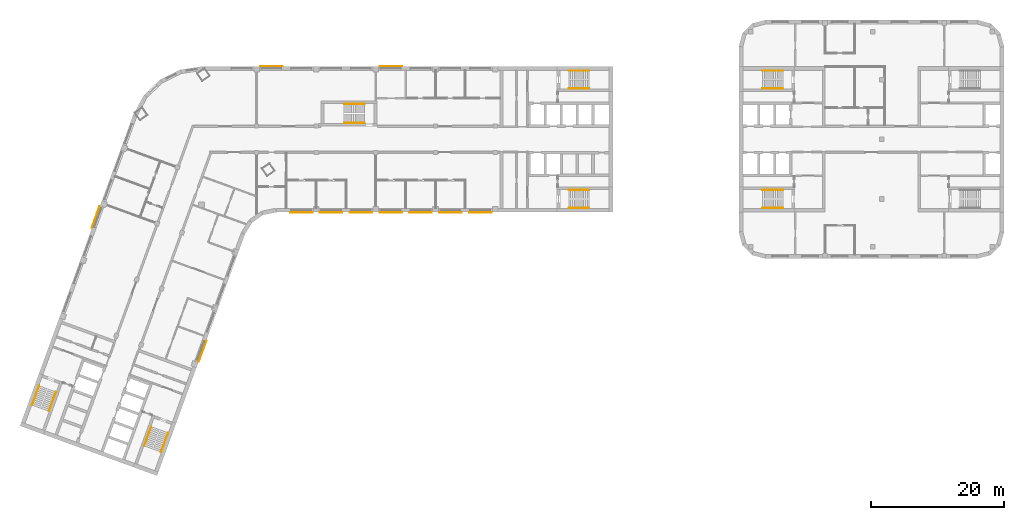
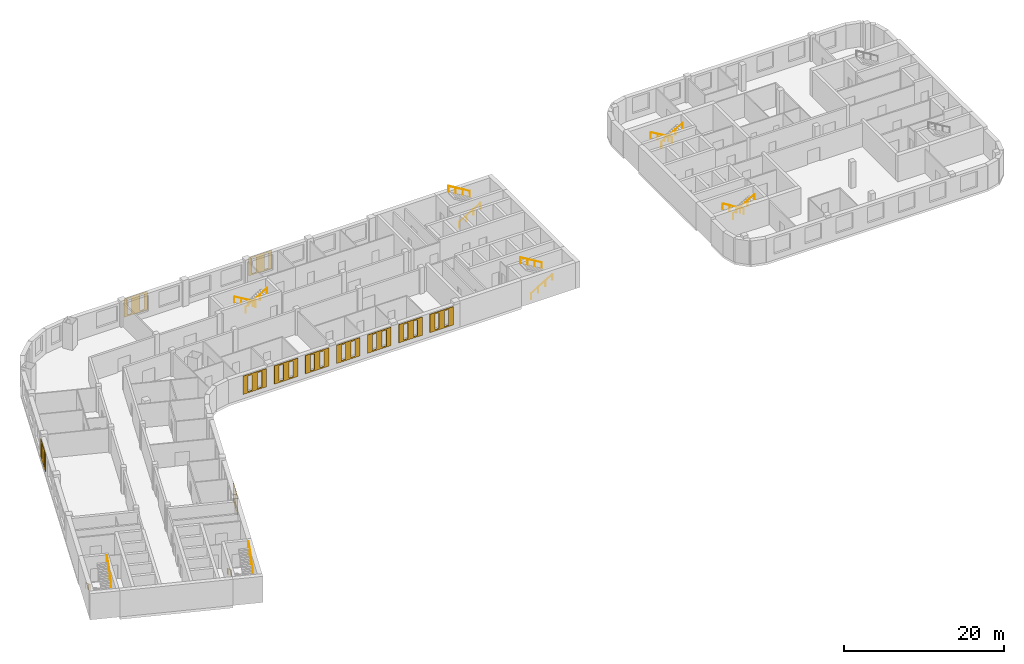
# One storey, part 11 of 12: 14 railings, 11 coverings.
"""IFC4 building model written with IfcOpenShell, lengths in metres."""

from ifc_helpers import new_model, si_unit, direction, frame, origin, origin_2d, place, context, subcontext, project, spatial, polyline, circle, outline, extrude, material, material_profile, profile_set, type_object, element, save


model = new_model("IFC4")

# Units and contexts
model_context = context("Model", 3, precision=1e-05, world=origin(), true_north=direction((0.0, 1.0)))
body_context = subcontext(model_context, "Body", "Model", "MODEL_VIEW")
ifc_project = project(units=[si_unit("LENGTHUNIT", "METRE"), si_unit("AREAUNIT", "SQUARE_METRE"), si_unit("VOLUMEUNIT", "CUBIC_METRE"), si_unit("PLANEANGLEUNIT", "RADIAN"), si_unit("MASSUNIT", "GRAM", prefix="KILO")], contexts=[model_context])

# Site, building, storey
site_placement = place(None, origin())
site = spatial("IfcSite", under=ifc_project, at=site_placement, CompositionType="ELEMENT")
building_placement = place(site_placement, origin())
building = spatial("IfcBuilding", under=site, at=building_placement, Name="Skarvind Civic Tower", CompositionType="ELEMENT")
storey_placement = place(building_placement, frame((0.0, 0.0, 85.0)))
storey = spatial("IfcBuildingStorey", under=building, at=storey_placement, Name="L19", CompositionType="ELEMENT", Elevation=85.0)

# Railings
ifc_material_1 = material(Name="Painted steel handrail", Category="steel")
railing_type = type_object("IfcRailingType", Name="Stair handrail 900", PredefinedType="HANDRAIL", material=ifc_material_1)
railing_1_placement = place(storey_placement, frame((101.35009765625, 135.64990234375, 0.166748046875)))
element("IfcRailing", 1, at=railing_1_placement, inside=storey, type_object=railing_type, Name="Stair handrail", PredefinedType="HANDRAIL", context=body_context, shape_type="SweptSolid", body=[
    extrude(circle(Radius=0.02392578125, at=origin_2d()), frame((0.0, 0.0, 0.8759765625), z_axis=(0.859290745958, 0.0, 0.51148745235), x_axis=(0.0, 1.0, 0.0)), (0.0, 0.0, 1.0), 3.584228515625),
    extrude(circle(Radius=0.02099609375, at=origin_2d()), origin(), (0.0, 0.0, 1.0), 0.851806640625),
    extrude(circle(Radius=0.02099609375, at=origin_2d()), frame((1.026611328125, 0.0, 0.611083984375)), (0.0, 0.0, 1.0), 0.851806640625),
    extrude(circle(Radius=0.02099609375, at=origin_2d()), frame((2.05322265625, 0.0, 1.22216796875)), (0.0, 0.0, 1.0), 0.851806640625),
    extrude(circle(Radius=0.02099609375, at=origin_2d()), frame((3.079833984375, 0.0, 1.833251953125)), (0.0, 0.0, 1.0), 0.851806640625),
])
railing_2_placement = place(storey_placement, frame((104.429931640625, 138.35009765625, 2.166748046875)))
element("IfcRailing", 2, at=railing_2_placement, inside=storey, type_object=railing_type, Name="Stair handrail", PredefinedType="HANDRAIL", context=body_context, shape_type="SweptSolid", body=[
    extrude(circle(Radius=0.02392578125, at=origin_2d()), frame((0.0, 0.0, 0.8759765625), z_axis=(-0.859290745958, 0.0, 0.51148745235), x_axis=(0.0, -1.0, 0.0)), (0.0, 0.0, 1.0), 3.584228515625),
    extrude(circle(Radius=0.02099609375, at=origin_2d()), origin(), (0.0, 0.0, 1.0), 0.851806640625),
    extrude(circle(Radius=0.02099609375, at=origin_2d()), frame((-1.026611328125, 0.0, 0.611083984375)), (0.0, 0.0, 1.0), 0.851806640625),
    extrude(circle(Radius=0.02099609375, at=origin_2d()), frame((-2.05322265625, 0.0, 1.22216796875)), (0.0, 0.0, 1.0), 0.851806640625),
    extrude(circle(Radius=0.02099609375, at=origin_2d()), frame((-3.079833984375, 0.0, 1.833251953125)), (0.0, 0.0, 1.0), 0.851806640625),
])
railing_3_placement = place(storey_placement, frame((101.35009765625, 117.64990234375, 0.166748046875)))
element("IfcRailing", 3, at=railing_3_placement, inside=storey, type_object=railing_type, Name="Stair handrail", PredefinedType="HANDRAIL", context=body_context, shape_type="SweptSolid", body=[
    extrude(circle(Radius=0.02392578125, at=origin_2d()), frame((0.0, 0.0, 0.8759765625), z_axis=(0.859290745958, 0.0, 0.51148745235), x_axis=(0.0, 1.0, 0.0)), (0.0, 0.0, 1.0), 3.584228515625),
    extrude(circle(Radius=0.02099609375, at=origin_2d()), origin(), (0.0, 0.0, 1.0), 0.851806640625),
    extrude(circle(Radius=0.02099609375, at=origin_2d()), frame((1.026611328125, 0.0, 0.611083984375)), (0.0, 0.0, 1.0), 0.851806640625),
    extrude(circle(Radius=0.02099609375, at=origin_2d()), frame((2.05322265625, 0.0, 1.22216796875)), (0.0, 0.0, 1.0), 0.851806640625),
    extrude(circle(Radius=0.02099609375, at=origin_2d()), frame((3.079833984375, 0.0, 1.833251953125)), (0.0, 0.0, 1.0), 0.851806640625),
])
railing_4_placement = place(storey_placement, frame((104.429931640625, 120.35009765625, 2.166748046875)))
element("IfcRailing", 4, at=railing_4_placement, inside=storey, type_object=railing_type, Name="Stair handrail", PredefinedType="HANDRAIL", context=body_context, shape_type="SweptSolid", body=[
    extrude(circle(Radius=0.02392578125, at=origin_2d()), frame((0.0, 0.0, 0.8759765625), z_axis=(-0.859290745958, 0.0, 0.51148745235), x_axis=(0.0, -1.0, 0.0)), (0.0, 0.0, 1.0), 3.584228515625),
    extrude(circle(Radius=0.02099609375, at=origin_2d()), origin(), (0.0, 0.0, 1.0), 0.851806640625),
    extrude(circle(Radius=0.02099609375, at=origin_2d()), frame((-1.026611328125, 0.0, 0.611083984375)), (0.0, 0.0, 1.0), 0.851806640625),
    extrude(circle(Radius=0.02099609375, at=origin_2d()), frame((-2.05322265625, 0.0, 1.22216796875)), (0.0, 0.0, 1.0), 0.851806640625),
    extrude(circle(Radius=0.02099609375, at=origin_2d()), frame((-3.079833984375, 0.0, 1.833251953125)), (0.0, 0.0, 1.0), 0.851806640625),
])
railing_5_placement = place(storey_placement, frame((38.362060546875, 84.64794921875, 0.166748046875)))
element("IfcRailing", 5, at=railing_5_placement, inside=storey, type_object=railing_type, Name="Stair handrail", PredefinedType="HANDRAIL", context=body_context, shape_type="SweptSolid", body=[
    extrude(circle(Radius=0.02392578125, at=origin_2d()), frame((0.0, 0.0, 0.8759765625), z_axis=(-0.293908055923, -0.807480881337, 0.511461319103), x_axis=(0.939689235759, -0.342029443467, 0.0)), (0.0, 0.0, 1.0), 3.584228515625),
    extrude(circle(Radius=0.02099609375, at=origin_2d()), origin(), (0.0, 0.0, 1.0), 0.851806640625),
    extrude(circle(Radius=0.02099609375, at=origin_2d()), frame((-0.35107421875, -0.96484375, 0.611083984375)), (0.0, 0.0, 1.0), 0.851806640625),
    extrude(circle(Radius=0.02099609375, at=origin_2d()), frame((-0.702392578125, -1.929443359375, 1.22216796875)), (0.0, 0.0, 1.0), 0.851806640625),
    extrude(circle(Radius=0.02099609375, at=origin_2d()), frame((-1.053466796875, -2.894287109375, 1.833251953125)), (0.0, 0.0, 1.0), 0.851806640625),
])
railing_6_placement = place(storey_placement, frame((39.845703125, 80.830078125, 2.166748046875)))
element("IfcRailing", 6, at=railing_6_placement, inside=storey, type_object=railing_type, Name="Stair handrail", PredefinedType="HANDRAIL", context=body_context, shape_type="SweptSolid", body=[
    extrude(circle(Radius=0.02392578125, at=origin_2d()), frame((0.0, 0.0, 0.8759765625), z_axis=(0.293908055923, 0.807480881337, 0.511461319103), x_axis=(-0.939689235759, 0.342029443467, 0.0)), (0.0, 0.0, 1.0), 3.584228515625),
    extrude(circle(Radius=0.02099609375, at=origin_2d()), origin(), (0.0, 0.0, 1.0), 0.851806640625),
    extrude(circle(Radius=0.02099609375, at=origin_2d()), frame((0.35107421875, 0.96484375, 0.611083984375)), (0.0, 0.0, 1.0), 0.851806640625),
    extrude(circle(Radius=0.02099609375, at=origin_2d()), frame((0.702392578125, 1.929443359375, 1.22216796875)), (0.0, 0.0, 1.0), 0.851806640625),
    extrude(circle(Radius=0.02099609375, at=origin_2d()), frame((1.053466796875, 2.894287109375, 1.833251953125)), (0.0, 0.0, 1.0), 0.851806640625),
])
railing_7_placement = place(storey_placement, frame((21.447509765625, 90.80419921875, 0.166748046875)))
element("IfcRailing", 7, at=railing_7_placement, inside=storey, type_object=railing_type, Name="Stair handrail", PredefinedType="HANDRAIL", context=body_context, shape_type="SweptSolid", body=[
    extrude(circle(Radius=0.02392578125, at=origin_2d()), frame((0.0, 0.0, 0.8759765625), z_axis=(-0.293845824691, -0.807497044902, 0.511471557163), x_axis=(0.939714709796, -0.34195944817, 0.0)), (0.0, 0.0, 1.0), 3.584228515625),
    extrude(circle(Radius=0.02099609375, at=origin_2d()), origin(), (0.0, 0.0, 1.0), 0.851806640625),
    extrude(circle(Radius=0.02099609375, at=origin_2d()), frame((-0.35107421875, -0.96484375, 0.611083984375)), (0.0, 0.0, 1.0), 0.851806640625),
    extrude(circle(Radius=0.02099609375, at=origin_2d()), frame((-0.7021484375, -1.929443359375, 1.22216796875)), (0.0, 0.0, 1.0), 0.851806640625),
    extrude(circle(Radius=0.02099609375, at=origin_2d()), frame((-1.05322265625, -2.894287109375, 1.833251953125)), (0.0, 0.0, 1.0), 0.851806640625),
])
railing_8_placement = place(storey_placement, frame((22.931396484375, 86.986572265625, 2.166748046875)))
element("IfcRailing", 8, at=railing_8_placement, inside=storey, type_object=railing_type, Name="Stair handrail", PredefinedType="HANDRAIL", context=body_context, shape_type="SweptSolid", body=[
    extrude(circle(Radius=0.02392578125, at=origin_2d()), frame((0.0, 0.0, 0.8759765625), z_axis=(0.293908055923, 0.807480881337, 0.511461319103), x_axis=(-0.939689235759, 0.342029443467, 0.0)), (0.0, 0.0, 1.0), 3.584228515625),
    extrude(circle(Radius=0.02099609375, at=origin_2d()), origin(), (0.0, 0.0, 1.0), 0.851806640625),
    extrude(circle(Radius=0.02099609375, at=origin_2d()), frame((0.35107421875, 0.96484375, 0.611083984375)), (0.0, 0.0, 1.0), 0.851806640625),
    extrude(circle(Radius=0.02099609375, at=origin_2d()), frame((0.702392578125, 1.929443359375, 1.22216796875)), (0.0, 0.0, 1.0), 0.851806640625),
    extrude(circle(Radius=0.02099609375, at=origin_2d()), frame((1.053466796875, 2.894287109375, 1.833251953125)), (0.0, 0.0, 1.0), 0.851806640625),
])
railing_9_placement = place(storey_placement, frame((133.64990234375, 120.35009765625, 0.166748046875)))
element("IfcRailing", 9, at=railing_9_placement, inside=storey, type_object=railing_type, Name="Stair handrail", PredefinedType="HANDRAIL", context=body_context, shape_type="SweptSolid", body=[
    extrude(circle(Radius=0.02392578125, at=origin_2d()), frame((0.0, 0.0, 0.8759765625), z_axis=(-0.859290745958, 0.0, 0.51148745235), x_axis=(0.0, -1.0, 0.0)), (0.0, 0.0, 1.0), 3.584228515625),
    extrude(circle(Radius=0.02099609375, at=origin_2d()), origin(), (0.0, 0.0, 1.0), 0.851806640625),
    extrude(circle(Radius=0.02099609375, at=origin_2d()), frame((-1.026611328125, 0.0, 0.611083984375)), (0.0, 0.0, 1.0), 0.851806640625),
    extrude(circle(Radius=0.02099609375, at=origin_2d()), frame((-2.05322265625, 0.0, 1.22216796875)), (0.0, 0.0, 1.0), 0.851806640625),
    extrude(circle(Radius=0.02099609375, at=origin_2d()), frame((-3.079833984375, 0.0, 1.833251953125)), (0.0, 0.0, 1.0), 0.851806640625),
])
railing_10_placement = place(storey_placement, frame((130.570068359375, 117.64990234375, 2.166748046875)))
element("IfcRailing", 10, at=railing_10_placement, inside=storey, type_object=railing_type, Name="Stair handrail", PredefinedType="HANDRAIL", context=body_context, shape_type="SweptSolid", body=[
    extrude(circle(Radius=0.02392578125, at=origin_2d()), frame((0.0, 0.0, 0.8759765625), z_axis=(0.859290745958, 0.0, 0.51148745235), x_axis=(0.0, 1.0, 0.0)), (0.0, 0.0, 1.0), 3.584228515625),
    extrude(circle(Radius=0.02099609375, at=origin_2d()), origin(), (0.0, 0.0, 1.0), 0.851806640625),
    extrude(circle(Radius=0.02099609375, at=origin_2d()), frame((1.026611328125, 0.0, 0.611083984375)), (0.0, 0.0, 1.0), 0.851806640625),
    extrude(circle(Radius=0.02099609375, at=origin_2d()), frame((2.05322265625, 0.0, 1.22216796875)), (0.0, 0.0, 1.0), 0.851806640625),
    extrude(circle(Radius=0.02099609375, at=origin_2d()), frame((3.079833984375, 0.0, 1.833251953125)), (0.0, 0.0, 1.0), 0.851806640625),
])
railing_11_placement = place(storey_placement, frame((133.64990234375, 138.35009765625, 0.166748046875)))
element("IfcRailing", 11, at=railing_11_placement, inside=storey, type_object=railing_type, Name="Stair handrail", PredefinedType="HANDRAIL", context=body_context, shape_type="SweptSolid", body=[
    extrude(circle(Radius=0.02392578125, at=origin_2d()), frame((0.0, 0.0, 0.8759765625), z_axis=(-0.859290745958, 0.0, 0.51148745235), x_axis=(0.0, -1.0, 0.0)), (0.0, 0.0, 1.0), 3.584228515625),
    extrude(circle(Radius=0.02099609375, at=origin_2d()), origin(), (0.0, 0.0, 1.0), 0.851806640625),
    extrude(circle(Radius=0.02099609375, at=origin_2d()), frame((-1.026611328125, 0.0, 0.611083984375)), (0.0, 0.0, 1.0), 0.851806640625),
    extrude(circle(Radius=0.02099609375, at=origin_2d()), frame((-2.05322265625, 0.0, 1.22216796875)), (0.0, 0.0, 1.0), 0.851806640625),
    extrude(circle(Radius=0.02099609375, at=origin_2d()), frame((-3.079833984375, 0.0, 1.833251953125)), (0.0, 0.0, 1.0), 0.851806640625),
])
railing_12_placement = place(storey_placement, frame((130.570068359375, 135.64990234375, 2.166748046875)))
element("IfcRailing", 12, at=railing_12_placement, inside=storey, type_object=railing_type, Name="Stair handrail", PredefinedType="HANDRAIL", context=body_context, shape_type="SweptSolid", body=[
    extrude(circle(Radius=0.02392578125, at=origin_2d()), frame((0.0, 0.0, 0.8759765625), z_axis=(0.859290745958, 0.0, 0.51148745235), x_axis=(0.0, 1.0, 0.0)), (0.0, 0.0, 1.0), 3.584228515625),
    extrude(circle(Radius=0.02099609375, at=origin_2d()), origin(), (0.0, 0.0, 1.0), 0.851806640625),
    extrude(circle(Radius=0.02099609375, at=origin_2d()), frame((1.026611328125, 0.0, 0.611083984375)), (0.0, 0.0, 1.0), 0.851806640625),
    extrude(circle(Radius=0.02099609375, at=origin_2d()), frame((2.05322265625, 0.0, 1.22216796875)), (0.0, 0.0, 1.0), 0.851806640625),
    extrude(circle(Radius=0.02099609375, at=origin_2d()), frame((3.079833984375, 0.0, 1.833251953125)), (0.0, 0.0, 1.0), 0.851806640625),
])
railing_13_placement = place(storey_placement, frame((70.550048828125, 133.35009765625, 0.166748046875)))
element("IfcRailing", 13, at=railing_13_placement, inside=storey, type_object=railing_type, Name="Stair handrail", PredefinedType="HANDRAIL", context=body_context, shape_type="SweptSolid", body=[
    extrude(circle(Radius=0.02392578125, at=origin_2d()), frame((0.0, 0.0, 0.8759765625), z_axis=(-0.859308565015, 0.0, 0.511457515432), x_axis=(0.0, -1.0, 0.0)), (0.0, 0.0, 1.0), 3.58447265625),
    extrude(circle(Radius=0.02099609375, at=origin_2d()), origin(), (0.0, 0.0, 1.0), 0.851806640625),
    extrude(circle(Radius=0.02099609375, at=origin_2d()), frame((-1.026611328125, 0.0, 0.611083984375)), (0.0, 0.0, 1.0), 0.851806640625),
    extrude(circle(Radius=0.02099609375, at=origin_2d()), frame((-2.053466796875, 0.0, 1.22216796875)), (0.0, 0.0, 1.0), 0.851806640625),
    extrude(circle(Radius=0.02099609375, at=origin_2d()), frame((-3.080078125, 0.0, 1.833251953125)), (0.0, 0.0, 1.0), 0.851806640625),
])
railing_14_placement = place(storey_placement, frame((67.469970703125, 130.449951171875, 2.166748046875)))
element("IfcRailing", 14, at=railing_14_placement, inside=storey, type_object=railing_type, Name="Stair handrail", PredefinedType="HANDRAIL", context=body_context, shape_type="SweptSolid", body=[
    extrude(circle(Radius=0.02392578125, at=origin_2d()), frame((0.0, 0.0, 0.8759765625), z_axis=(0.859308565015, 0.0, 0.511457515432), x_axis=(0.0, 1.0, 0.0)), (0.0, 0.0, 1.0), 3.58447265625),
    extrude(circle(Radius=0.02099609375, at=origin_2d()), origin(), (0.0, 0.0, 1.0), 0.851806640625),
    extrude(circle(Radius=0.02099609375, at=origin_2d()), frame((1.026611328125, 0.0, 0.611083984375)), (0.0, 0.0, 1.0), 0.851806640625),
    extrude(circle(Radius=0.02099609375, at=origin_2d()), frame((2.053466796875, 0.0, 1.22216796875)), (0.0, 0.0, 1.0), 0.851806640625),
    extrude(circle(Radius=0.02099609375, at=origin_2d()), frame((3.080078125, 0.0, 1.833251953125)), (0.0, 0.0, 1.0), 0.851806640625),
])

# Coverings
ifc_material_2 = material(Name="Terracotta", Category="masonry")
ifc_material_profile_1 = material_profile(ifc_material_2, outline(polyline([(-1.699951171875, -1.39990234375), (1.699951171875, -1.39990234375), (1.699951171875, 1.39990234375), (-1.699951171875, 1.39990234375), (-1.699951171875, -1.39990234375)]), holes=[polyline([(-1.0, -1.18994140625), (-0.39990234375, -1.18994140625), (-0.39990234375, 1.18994140625), (-1.0, 1.18994140625), (-1.0, -1.18994140625)]), polyline([(0.39990234375, -1.18994140625), (1.0, -1.18994140625), (1.0, 1.18994140625), (0.39990234375, 1.18994140625), (0.39990234375, -1.18994140625)])]), Name="TERRACOTTA SCREEN 3400 x 2800, SLIT PITCH 1400")
ifc_profile_set_1 = profile_set([ifc_material_profile_1], Name="Terracotta")
covering_type_1 = type_object("IfcCoveringType", Name="TERRACOTTA SCREEN 3400 x 2800, SLIT PITCH 1400", PredefinedType="CLADDING", material=ifc_profile_set_1)
for number, where, z_axis, x_axis, name in (
    (15, (88.0, 117.0, 2.10009765625), (0.0, -1.0, 0.0), (1.0, 0.0, 0.0), "TERRACOTTA SCREEN"),
    (16, (83.5, 117.0, 2.10009765625), (0.0, -1.0, 0.0), (1.0, 0.0, 0.0), "TERRACOTTA SCREEN"),
    (17, (79.0, 117.0, 2.10009765625), (0.0, -1.0, 0.0), (1.0, 0.0, 0.0), "TERRACOTTA SCREEN"),
    (18, (74.5, 117.0, 2.10009765625), (0.0, -1.0, 0.0), (1.0, 0.0, 0.0), "TERRACOTTA SCREEN"),
    (19, (70.0, 117.0, 2.10009765625), (0.0, -1.0, 0.0), (1.0, 0.0, 0.0), "TERRACOTTA SCREEN"),
    (20, (65.5, 117.0, 2.10009765625), (0.0, -1.0, 0.0), (1.0, 0.0, 0.0), "TERRACOTTA SCREEN"),
    (21, (61.0, 117.0, 2.10009765625), (0.0, -1.0, 0.0), (1.0, 0.0, 0.0), "TERRACOTTA SCREEN"),
):
    element("IfcCovering", number, at=place(storey_placement, frame(where, z_axis=z_axis, x_axis=x_axis)), inside=storey, type_object=covering_type_1, Name=name, PredefinedType="CLADDING", context=body_context, shape_type="SweptSolid", body=[
        extrude(outline(polyline([(-1.699951171875, -1.39990234375), (1.699951171875, -1.39990234375), (1.699951171875, 1.39990234375), (-1.699951171875, 1.39990234375), (-1.699951171875, -1.39990234375)]), holes=[polyline([(-1.0, -1.18994140625), (-0.39990234375, -1.18994140625), (-0.39990234375, 1.18994140625), (-1.0, 1.18994140625), (-1.0, -1.18994140625)]), polyline([(0.39990234375, -1.18994140625), (1.0, -1.18994140625), (1.0, 1.18994140625), (0.39990234375, 1.18994140625), (0.39990234375, -1.18994140625)])]), origin(), (0.0, 0.0, 1.0), 0.06005859375),
    ])
ifc_material_profile_2 = material_profile(ifc_material_2, outline(polyline([(-1.699951171875, -1.39990234375), (1.699951171875, -1.39990234375), (1.699951171875, 1.39990234375), (-1.699951171875, 1.39990234375), (-1.699951171875, -1.39990234375)]), holes=[polyline([(-1.199951171875, -1.18994140625), (-0.60009765625, -1.18994140625), (-0.60009765625, 1.18994140625), (-1.199951171875, 1.18994140625), (-1.199951171875, -1.18994140625)]), polyline([(0.60009765625, -1.18994140625), (1.199951171875, -1.18994140625), (1.199951171875, 1.18994140625), (0.60009765625, 1.18994140625), (0.60009765625, -1.18994140625)])]), Name="TERRACOTTA SCREEN 3400 x 2800, SLIT PITCH 1800")
ifc_profile_set_2 = profile_set([ifc_material_profile_2], Name="Terracotta")
covering_type_2 = type_object("IfcCoveringType", Name="TERRACOTTA SCREEN 3400 x 2800, SLIT PITCH 1800", PredefinedType="CLADDING", material=ifc_profile_set_2)
for number, where, z_axis, x_axis, name in (
    (22, (46.075927734375, 96.047119140625, 2.10009765625), (0.939793423488, -0.341743063087, 0.0), (0.341743063087, 0.939793423488, 0.0), "TERRACOTTA SCREEN"),
    (23, (56.5, 139.0, 2.10009765625), (0.0, 1.0, 0.0), (-1.0, 0.0, 0.0), "TERRACOTTA SCREEN"),
    (24, (74.5, 139.0, 2.10009765625), (0.0, 1.0, 0.0), (-1.0, 0.0, 0.0), "TERRACOTTA SCREEN"),
    (25, (30.02001953125, 116.25732421875, 2.10009765625), (-0.939793423488, 0.341743063087, 0.0), (-0.341743063087, -0.939793423488, 0.0), "TERRACOTTA SCREEN"),
):
    element("IfcCovering", number, at=place(storey_placement, frame(where, z_axis=z_axis, x_axis=x_axis)), inside=storey, type_object=covering_type_2, Name=name, PredefinedType="CLADDING", context=body_context, shape_type="SweptSolid", body=[
        extrude(outline(polyline([(-1.699951171875, -1.39990234375), (1.699951171875, -1.39990234375), (1.699951171875, 1.39990234375), (-1.699951171875, 1.39990234375), (-1.699951171875, -1.39990234375)]), holes=[polyline([(-1.199951171875, -1.18994140625), (-0.60009765625, -1.18994140625), (-0.60009765625, 1.18994140625), (-1.199951171875, 1.18994140625), (-1.199951171875, -1.18994140625)]), polyline([(0.60009765625, -1.18994140625), (1.199951171875, -1.18994140625), (1.199951171875, 1.18994140625), (0.60009765625, 1.18994140625), (0.60009765625, -1.18994140625)])]), origin(), (0.0, 0.0, 1.0), 0.06005859375),
    ])

save(model, "model.ifc")
